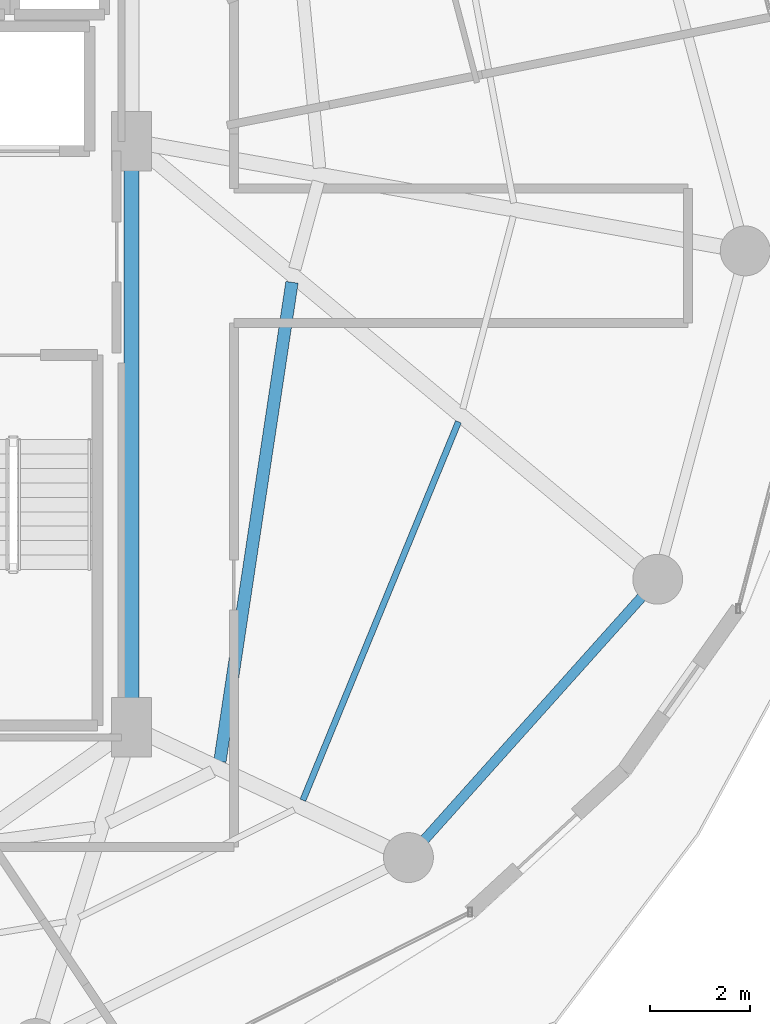
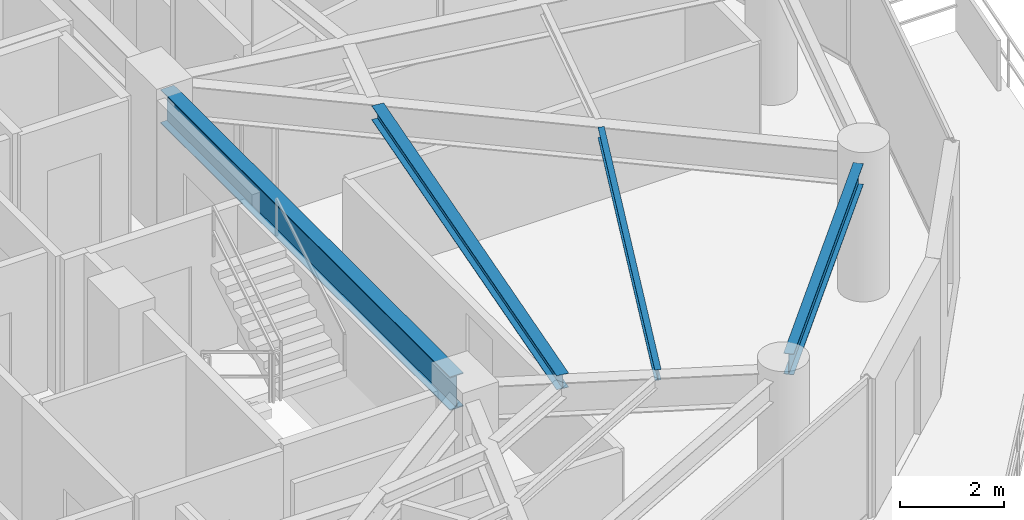
# One storey, part 12 of 30: 4 beams.
"""IFC4 building model written with IfcOpenShell, lengths in metres."""

from ifc_helpers import new_model, si_unit, direction, frame, origin, origin_2d, place, context, subcontext, project, spatial, i_section, extrude, material, material_profile, profile_set, type_object, element, save


model = new_model("IFC4")

# Units and contexts
model_context = context("Model", 3, precision=1e-05, world=origin(), true_north=direction((0.0, 1.0)))
body_context = subcontext(model_context, "Body", "Model", "MODEL_VIEW")
ifc_project = project(units=[si_unit("LENGTHUNIT", "METRE"), si_unit("AREAUNIT", "SQUARE_METRE"), si_unit("VOLUMEUNIT", "CUBIC_METRE"), si_unit("PLANEANGLEUNIT", "RADIAN"), si_unit("MASSUNIT", "GRAM", prefix="KILO")], contexts=[model_context])

# Site, building, storey
site_placement = place(None, origin())
site = spatial("IfcSite", under=ifc_project, at=site_placement, CompositionType="ELEMENT")
building_placement = place(site_placement, origin())
building = spatial("IfcBuilding", under=site, at=building_placement, Name="Vorneva Point Tower", CompositionType="ELEMENT")
storey_placement = place(building_placement, frame((0.0, 0.0, 153.60009765625)))
storey = spatial("IfcBuildingStorey", under=building, at=storey_placement, Name="L41", CompositionType="ELEMENT", Elevation=153.60009765625)

# Beams
ifc_material = material(Name="Steel S355", Category="steel")
ifc_material_profile_1 = material_profile(ifc_material, i_section(OverallWidth=0.300048828125, OverallDepth=0.7880859375, WebThickness=0.014404296875, FlangeThickness=0.02197265625, at=origin_2d()), Name="80Sh1")
ifc_profile_set_1 = profile_set([ifc_material_profile_1], Name="Steel S355")
beam_type_1 = type_object("IfcBeamType", Name="BM-GRD-80Sh1", PredefinedType="USERDEFINED", material=ifc_profile_set_1)
beam_1_placement = place(storey_placement, frame((48.75, 16.77001953125, 2.845947265625), z_axis=(0.0, 1.0, 0.0), x_axis=(-1.0, 0.0, 0.0)))
element("IfcBeam", 1, at=beam_1_placement, inside=storey, type_object=beam_type_1, Name="L41 Core Tie Girder CT3", ObjectType="GIRDER", PredefinedType="USERDEFINED", context=body_context, shape_type="SweptSolid", body=[
    extrude(i_section(OverallWidth=0.300048828125, OverallDepth=0.7880859375, WebThickness=0.014404296875, FlangeThickness=0.02197265625, at=origin_2d()), origin(), (0.0, 0.0, 1.0), 11.10986328125),
])
ifc_material_profile_2 = material_profile(ifc_material, i_section(OverallWidth=0.1240234375, OverallDepth=0.248046875, WebThickness=0.0048828125, FlangeThickness=0.008056640625, at=origin_2d()), Name="25B1")
ifc_profile_set_2 = profile_set([ifc_material_profile_2], Name="Steel S355")
beam_type_2 = type_object("IfcBeamType", Name="BM-JST-25B1", PredefinedType="JOIST", material=ifc_profile_set_2)
beam_2_placement = place(storey_placement, frame((52.181884765625, 14.98681640625, 3.115966796875), z_axis=(0.380236271938, 0.924889386631, 0.0), x_axis=(-0.924889386631, 0.380236271938, 0.0)))
element("IfcBeam", 2, at=beam_2_placement, inside=storey, type_object=beam_type_2, Name="L41 Secondary Floor Beam 1.15", PredefinedType="JOIST", context=body_context, shape_type="SweptSolid", body=[
    extrude(i_section(OverallWidth=0.1240234375, OverallDepth=0.248046875, WebThickness=0.0048828125, FlangeThickness=0.008056640625, at=origin_2d()), origin(), (0.0, 0.0, 1.0), 8.20263671875),
])
ifc_material_profile_3 = material_profile(ifc_material, i_section(OverallWidth=0.2490234375, OverallDepth=0.333984375, WebThickness=0.008056640625, FlangeThickness=0.010986328125, at=origin_2d()), Name="35Sh1")
ifc_profile_set_3 = profile_set([ifc_material_profile_3], Name="Steel S355")
beam_type_3 = type_object("IfcBeamType", Name="BM-SEC-35Sh1", PredefinedType="BEAM", material=ifc_profile_set_3)
beam_3_placement = place(storey_placement, frame((50.51806640625, 15.763916015625, 3.072998046875), z_axis=(0.148781631303, 0.988870075484, 0.0), x_axis=(-0.988870075484, 0.148781631303, 0.0)))
element("IfcBeam", 3, at=beam_3_placement, inside=storey, type_object=beam_type_3, Name="L41 Secondary Floor Beam 2.15", PredefinedType="BEAM", context=body_context, shape_type="SweptSolid", body=[
    extrude(i_section(OverallWidth=0.2490234375, OverallDepth=0.333984375, WebThickness=0.008056640625, FlangeThickness=0.010986328125, at=origin_2d()), origin(), (0.0, 0.0, 1.0), 9.71435546875),
])
ifc_material_profile_4 = material_profile(ifc_material, i_section(OverallWidth=0.199951171875, OverallDepth=0.491943359375, WebThickness=0.0087890625, FlangeThickness=0.011962890625, at=origin_2d()), Name="50B1")
ifc_profile_set_4 = profile_set([ifc_material_profile_4], Name="Steel S355")
beam_type_4 = type_object("IfcBeamType", Name="BM-SPN-50B1", PredefinedType="SPANDREL", material=ifc_profile_set_4)
beam_4_placement = place(storey_placement, frame((54.622314453125, 14.19921875, 2.993896484375), z_axis=(0.667111118975, 0.74495822362, 0.0), x_axis=(-0.74495822362, 0.667111118975, 0.0)))
element("IfcBeam", 4, at=beam_4_placement, inside=storey, type_object=beam_type_4, Name="L41 Perimeter Spandrel Ring Beam 15", PredefinedType="SPANDREL", context=body_context, shape_type="SweptSolid", body=[
    extrude(i_section(OverallWidth=0.199951171875, OverallDepth=0.491943359375, WebThickness=0.0087890625, FlangeThickness=0.011962890625, at=origin_2d()), origin(), (0.0, 0.0, 1.0), 6.52001953125),
])

save(model, "model.ifc")
